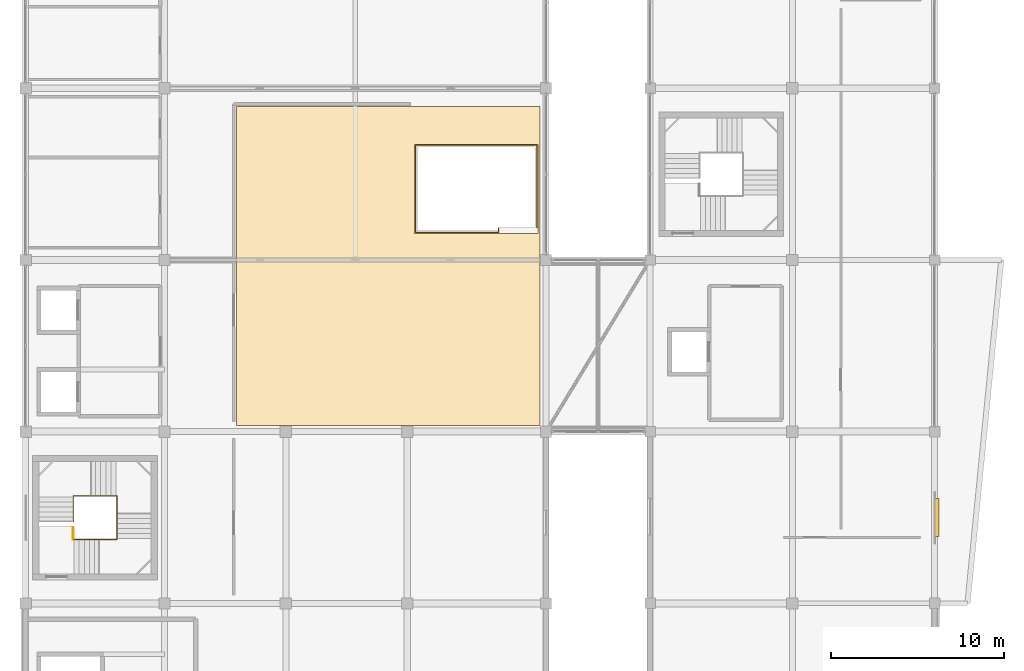
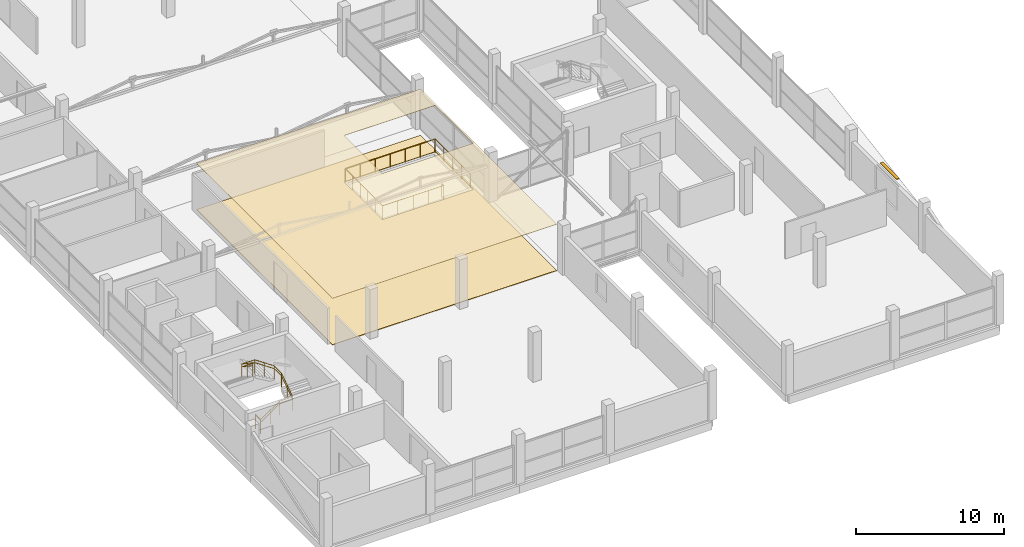
# One storey, part 65 of 66: 4 railings, 2 coverings, 1 shading device.
"""IFC4 building model written with IfcOpenShell, lengths in metres."""

from ifc_helpers import new_model, si_unit, direction, frame, origin, origin_2d, place, context, subcontext, project, spatial, polyline, rectangle, circle, outline, extrude, material, layer, layer_set, type_object, element, save


model = new_model("IFC4")

# Units and contexts
model_context = context("Model", 3, precision=1e-05, world=origin(), true_north=direction((0.0, 1.0)))
body_context = subcontext(model_context, "Body", "Model", "MODEL_VIEW")
ifc_project = project(units=[si_unit("LENGTHUNIT", "METRE"), si_unit("AREAUNIT", "SQUARE_METRE"), si_unit("VOLUMEUNIT", "CUBIC_METRE"), si_unit("PLANEANGLEUNIT", "RADIAN"), si_unit("MASSUNIT", "GRAM", prefix="KILO")], contexts=[model_context])

# Site, building, storey
site_placement = place(None, origin())
site = spatial("IfcSite", under=ifc_project, at=site_placement, CompositionType="ELEMENT")
building_placement = place(site_placement, origin())
building = spatial("IfcBuilding", under=site, at=building_placement, Name="Sillaruma Civic Art Gallery", CompositionType="ELEMENT")
storey_placement = place(building_placement, frame((0.0, 0.0, 62.219970703125)))
storey = spatial("IfcBuildingStorey", under=building, at=storey_placement, Name="L12", CompositionType="ELEMENT", Elevation=62.219970703125)

# Coverings
ifc_material_1 = material(Name="Gypsum Acoustic Board", Category="gypsum")
ifc_layer_1 = layer(ifc_material_1, 0.030029296875, Name="Gypsum Acoustic Board")
ifc_layer_set_1 = layer_set([ifc_layer_1], Name="Gypsum Acoustic Board")
covering_type_1 = type_object("IfcCoveringType", Name="COV-CLG-30", PredefinedType="CEILING", material=ifc_layer_set_1)
covering_1_placement = place(storey_placement, frame((0.0, 0.0, 3.820068359375)))
element("IfcCovering", 1, at=covering_1_placement, inside=storey, type_object=covering_type_1, Name="Acoustic Gallery Ceiling (L12-GAL12A)", PredefinedType="CEILING", context=body_context, shape_type="SweptSolid", body=[
    extrude(outline(polyline([(74.159912109375, 58.340087890625), (91.639892578125, 58.340087890625), (91.639892578125, 39.9599609375), (74.159912109375, 39.9599609375), (74.159912109375, 58.340087890625)]), holes=[polyline([(91.511962890625, 51.030029296875), (91.513916015625, 51.030517578125), (91.515869140625, 51.031005859375), (91.517578125, 51.031494140625), (91.519287109375, 51.032470703125), (91.52099609375, 51.033447265625), (91.522705078125, 51.034423828125), (91.524169921875, 51.035888671875), (91.525390625, 51.037353515625), (91.526611328125, 51.038818359375), (91.527587890625, 51.04052734375), (91.528564453125, 51.042236328125), (91.529052734375, 51.044189453125), (91.529541015625, 51.046142578125), (91.52978515625, 51.048095703125), (91.530029296875, 51.050048828125), (91.530029296875, 56.14990234375), (91.52978515625, 56.152099609375), (91.529541015625, 56.15380859375), (91.529052734375, 56.15576171875), (91.528564453125, 56.15771484375), (91.527587890625, 56.159423828125), (91.526611328125, 56.1611328125), (91.525390625, 56.16259765625), (91.524169921875, 56.1640625), (91.522705078125, 56.16552734375), (91.52099609375, 56.16650390625), (91.519287109375, 56.16748046875), (91.517578125, 56.16845703125), (91.515869140625, 56.169189453125), (91.513916015625, 56.169677734375), (91.511962890625, 56.169921875), (91.510009765625, 56.169921875), (84.449951171875, 56.169921875), (84.447998046875, 56.169921875), (84.446044921875, 56.169677734375), (84.444091796875, 56.169189453125), (84.4423828125, 56.16845703125), (84.440673828125, 56.16748046875), (84.43896484375, 56.16650390625), (84.437255859375, 56.16552734375), (84.435791015625, 56.1640625), (84.4345703125, 56.16259765625), (84.433349609375, 56.1611328125), (84.432373046875, 56.159423828125), (84.431396484375, 56.15771484375), (84.430908203125, 56.15576171875), (84.430419921875, 56.15380859375), (84.43017578125, 56.152099609375), (84.429931640625, 56.14990234375), (84.429931640625, 51.050048828125), (84.43017578125, 51.048095703125), (84.430419921875, 51.046142578125), (84.430908203125, 51.044189453125), (84.431396484375, 51.042236328125), (84.432373046875, 51.04052734375), (84.433349609375, 51.038818359375), (84.4345703125, 51.037353515625), (84.435791015625, 51.035888671875), (84.437255859375, 51.034423828125), (84.43896484375, 51.033447265625), (84.440673828125, 51.032470703125), (84.4423828125, 51.031494140625), (84.444091796875, 51.031005859375), (84.446044921875, 51.030517578125), (84.447998046875, 51.030029296875), (84.449951171875, 51.030029296875), (91.510009765625, 51.030029296875), (91.511962890625, 51.030029296875)])]), origin(), (0.0, 0.0, 1.0), 0.030029296875),
])
ifc_material_2 = material(Name="Basalt Paver Stone", Category="masonry")
ifc_layer_2 = layer(ifc_material_2, 0.034912109375, Name="Basalt Paver Stone")
ifc_layer_set_2 = layer_set([ifc_layer_2], Name="Basalt Paver Stone")
covering_type_2 = type_object("IfcCoveringType", Name="COV-FLR-35", PredefinedType="FLOORING", material=ifc_layer_set_2)
covering_2_placement = place(storey_placement, origin())
element("IfcCovering", 2, at=covering_2_placement, inside=storey, type_object=covering_type_2, Name="Gallery Stone Terrazzo Flooring (L12-GAL12A)", PredefinedType="FLOORING", context=body_context, shape_type="SweptSolid", body=[
    extrude(outline(polyline([(74.159912109375, 58.340087890625), (91.639892578125, 58.340087890625), (91.639892578125, 39.9599609375), (74.159912109375, 39.9599609375), (74.159912109375, 58.340087890625)]), holes=[polyline([(91.511962890625, 51.030029296875), (91.513916015625, 51.030517578125), (91.515869140625, 51.031005859375), (91.517578125, 51.031494140625), (91.519287109375, 51.032470703125), (91.52099609375, 51.033447265625), (91.522705078125, 51.034423828125), (91.524169921875, 51.035888671875), (91.525390625, 51.037353515625), (91.526611328125, 51.038818359375), (91.527587890625, 51.04052734375), (91.528564453125, 51.042236328125), (91.529052734375, 51.044189453125), (91.529541015625, 51.046142578125), (91.52978515625, 51.048095703125), (91.530029296875, 51.050048828125), (91.530029296875, 56.14990234375), (91.52978515625, 56.152099609375), (91.529541015625, 56.15380859375), (91.529052734375, 56.15576171875), (91.528564453125, 56.15771484375), (91.527587890625, 56.159423828125), (91.526611328125, 56.1611328125), (91.525390625, 56.16259765625), (91.524169921875, 56.1640625), (91.522705078125, 56.16552734375), (91.52099609375, 56.16650390625), (91.519287109375, 56.16748046875), (91.517578125, 56.16845703125), (91.515869140625, 56.169189453125), (91.513916015625, 56.169677734375), (91.511962890625, 56.169921875), (91.510009765625, 56.169921875), (84.449951171875, 56.169921875), (84.447998046875, 56.169921875), (84.446044921875, 56.169677734375), (84.444091796875, 56.169189453125), (84.4423828125, 56.16845703125), (84.440673828125, 56.16748046875), (84.43896484375, 56.16650390625), (84.437255859375, 56.16552734375), (84.435791015625, 56.1640625), (84.4345703125, 56.16259765625), (84.433349609375, 56.1611328125), (84.432373046875, 56.159423828125), (84.431396484375, 56.15771484375), (84.430908203125, 56.15576171875), (84.430419921875, 56.15380859375), (84.43017578125, 56.152099609375), (84.429931640625, 56.14990234375), (84.429931640625, 51.050048828125), (84.43017578125, 51.048095703125), (84.430419921875, 51.046142578125), (84.430908203125, 51.044189453125), (84.431396484375, 51.042236328125), (84.432373046875, 51.04052734375), (84.433349609375, 51.038818359375), (84.4345703125, 51.037353515625), (84.435791015625, 51.035888671875), (84.437255859375, 51.034423828125), (84.43896484375, 51.033447265625), (84.440673828125, 51.032470703125), (84.4423828125, 51.031494140625), (84.444091796875, 51.031005859375), (84.446044921875, 51.030517578125), (84.447998046875, 51.030029296875), (84.449951171875, 51.030029296875), (91.510009765625, 51.030029296875), (91.511962890625, 51.030029296875)])]), origin(), (0.0, 0.0, 1.0), 0.034912109375),
])

# Railings
ifc_material_3 = material(Name="Stainless Steel AISI 316", Category="steel")
railing_type_1 = type_object("IfcRailingType", Name="RAL-BAL-1150", PredefinedType="BALUSTRADE", material=ifc_material_3)
railing_1_placement = place(storey_placement, frame((64.739990234375, 33.389892578125, 0.0)))
element("IfcRailing", 3, at=railing_1_placement, inside=storey, type_object=railing_type_1, Name="Stair Floor Edge Guard (ST-03:L12)", PredefinedType="BALUSTRADE", context=body_context, shape_type="SweptSolid", body=[
    extrude(circle(Radius=0.02392578125, at=origin_2d()), frame((0.0, 0.0, 1.1259765625), z_axis=(0.0, 1.0, 0.0), x_axis=(-1.0, 0.0, 0.0)), (0.0, 0.0, 1.0), 0.68017578125),
    extrude(circle(Radius=0.02099609375, at=origin_2d()), origin(), (0.0, 0.0, 1.0), 1.101806640625),
    extrude(circle(Radius=0.02099609375, at=origin_2d()), frame((0.0, 0.68017578125, 0.0)), (0.0, 0.0, 1.0), 1.101806640625),
])
railing_2_placement = place(storey_placement, frame((64.739990234375, 33.389892578125, 0.0)))
element("IfcRailing", 4, at=railing_2_placement, inside=storey, type_object=railing_type_1, Name="Stair Well Balustrade (ST-03-L12)", PredefinedType="BALUSTRADE", context=body_context, shape_type="SweptSolid", body=[
    extrude(circle(Radius=0.02392578125, at=origin_2d()), frame((0.0, 0.0, 1.1259765625), z_axis=(0.828654473869, 0.0, 0.559760451387), x_axis=(0.0, 1.0, 0.0)), (0.0, 0.0, 1.0), 1.822265625),
    extrude(circle(Radius=0.02392578125, at=origin_2d()), frame((1.510009765625, 0.0, 2.14599609375), z_axis=(1.0, 0.0, 0.0), x_axis=(0.0, 1.0, 0.0)), (0.0, 0.0, 1.0), 1.010009765625),
    extrude(circle(Radius=0.02392578125, at=origin_2d()), frame((2.52001953125, 0.0, 2.14599609375), z_axis=(0.0, 0.828654473869, 0.559760451387), x_axis=(-1.0, 0.0, 0.0)), (0.0, 0.0, 1.0), 1.822265625),
    extrude(circle(Radius=0.02392578125, at=origin_2d()), frame((2.52001953125, 1.510009765625, 3.166015625), z_axis=(0.0, 1.0, 0.0), x_axis=(-1.0, 0.0, 0.0)), (0.0, 0.0, 1.0), 1.010009765625),
    extrude(circle(Radius=0.02392578125, at=origin_2d()), frame((2.52001953125, 2.52001953125, 3.166015625), z_axis=(-0.828654473869, 0.0, 0.559760451387), x_axis=(0.0, -1.0, 0.0)), (0.0, 0.0, 1.0), 1.822265625),
    extrude(circle(Radius=0.02392578125, at=origin_2d()), frame((1.010009765625, 2.52001953125, 4.18603515625), z_axis=(-1.0, 0.0, 0.0), x_axis=(0.0, -1.0, 0.0)), (0.0, 0.0, 1.0), 1.010009765625),
    extrude(circle(Radius=0.02392578125, at=origin_2d()), frame((0.0, 2.52001953125, 4.18603515625), z_axis=(0.0, -0.828654473869, 0.559760451387), x_axis=(1.0, 0.0, 0.0)), (0.0, 0.0, 1.0), 1.822265625),
    extrude(circle(Radius=0.02099609375, at=origin_2d()), origin(), (0.0, 0.0, 1.0), 1.101806640625),
    extrude(circle(Radius=0.02099609375, at=origin_2d()), frame((0.7548828125, 0.0, 0.510009765625)), (0.0, 0.0, 1.0), 1.101806640625),
    extrude(circle(Radius=0.02099609375, at=origin_2d()), frame((1.510009765625, 0.0, 1.02001953125)), (0.0, 0.0, 1.0), 1.101806640625),
    extrude(circle(Radius=0.02099609375, at=origin_2d()), frame((2.52001953125, 0.0, 1.02001953125)), (0.0, 0.0, 1.0), 1.101806640625),
    extrude(circle(Radius=0.02099609375, at=origin_2d()), frame((2.52001953125, 0.7548828125, 1.530029296875)), (0.0, 0.0, 1.0), 1.101806640625),
    extrude(circle(Radius=0.02099609375, at=origin_2d()), frame((2.52001953125, 1.510009765625, 2.0400390625)), (0.0, 0.0, 1.0), 1.101806640625),
    extrude(circle(Radius=0.02099609375, at=origin_2d()), frame((2.52001953125, 2.52001953125, 2.0400390625)), (0.0, 0.0, 1.0), 1.101806640625),
    extrude(circle(Radius=0.02099609375, at=origin_2d()), frame((1.76513671875, 2.52001953125, 2.550048828125)), (0.0, 0.0, 1.0), 1.101806640625),
    extrude(circle(Radius=0.02099609375, at=origin_2d()), frame((1.010009765625, 2.52001953125, 3.06005859375)), (0.0, 0.0, 1.0), 1.101806640625),
    extrude(circle(Radius=0.02099609375, at=origin_2d()), frame((0.0, 2.52001953125, 3.06005859375)), (0.0, 0.0, 1.0), 1.101806640625),
    extrude(circle(Radius=0.02099609375, at=origin_2d()), frame((0.0, 1.76513671875, 3.570068359375)), (0.0, 0.0, 1.0), 1.101806640625),
    extrude(circle(Radius=0.02099609375, at=origin_2d()), frame((0.0, 1.010009765625, 4.080078125)), (0.0, 0.0, 1.0), 1.101806640625),
])
railing_3_placement = place(storey_placement, frame((89.260009765625, 51.35009765625, 0.0)))
element("IfcRailing", 5, at=railing_3_placement, inside=storey, type_object=railing_type_1, Name="Feature Stair Arrival Well Balustrade (ST-G07)", PredefinedType="BALUSTRADE", context=body_context, shape_type="SweptSolid", body=[
    extrude(circle(Radius=0.02392578125, at=origin_2d()), frame((0.0, 0.0, 1.1259765625), z_axis=(0.0, -1.0, 0.0), x_axis=(1.0, 0.0, 0.0)), (0.0, 0.0, 1.0), 0.27001953125),
    extrude(circle(Radius=0.02392578125, at=origin_2d()), frame((0.0, -0.27001953125, 1.1259765625), z_axis=(-1.0, 0.0, 0.0), x_axis=(0.0, -1.0, 0.0)), (0.0, 0.0, 1.0), 4.780029296875),
    extrude(circle(Radius=0.02392578125, at=origin_2d()), frame((-4.780029296875, -0.27001953125, 1.1259765625), z_axis=(0.0, 1.0, 0.0), x_axis=(-1.0, 0.0, 0.0)), (0.0, 0.0, 1.0), 5.0400390625),
    extrude(circle(Radius=0.02392578125, at=origin_2d()), frame((-4.780029296875, 4.77001953125, 1.1259765625), z_axis=(1.0, 0.0, 0.0), x_axis=(0.0, 1.0, 0.0)), (0.0, 0.0, 1.0), 7.0),
    extrude(circle(Radius=0.02392578125, at=origin_2d()), frame((2.219970703125, 4.77001953125, 1.1259765625), z_axis=(0.0, -1.0, 0.0), x_axis=(1.0, 0.0, 0.0)), (0.0, 0.0, 1.0), 4.77001953125),
    extrude(circle(Radius=0.02099609375, at=origin_2d()), origin(), (0.0, 0.0, 1.0), 1.101806640625),
    extrude(circle(Radius=0.02099609375, at=origin_2d()), frame((0.0, -0.27001953125, 0.0)), (0.0, 0.0, 1.0), 1.101806640625),
    extrude(circle(Radius=0.02099609375, at=origin_2d()), frame((-1.195068359375, -0.27001953125, 0.0)), (0.0, 0.0, 1.0), 1.101806640625),
    extrude(circle(Radius=0.02099609375, at=origin_2d()), frame((-2.39013671875, -0.27001953125, 0.0)), (0.0, 0.0, 1.0), 1.101806640625),
    extrude(circle(Radius=0.02099609375, at=origin_2d()), frame((-3.5849609375, -0.27001953125, 0.0)), (0.0, 0.0, 1.0), 1.101806640625),
    extrude(circle(Radius=0.02099609375, at=origin_2d()), frame((-4.780029296875, -0.27001953125, 0.0)), (0.0, 0.0, 1.0), 1.101806640625),
    extrude(circle(Radius=0.02099609375, at=origin_2d()), frame((-4.780029296875, 0.738037109375, 0.0)), (0.0, 0.0, 1.0), 1.101806640625),
    extrude(circle(Radius=0.02099609375, at=origin_2d()), frame((-4.780029296875, 1.74609375, 0.0)), (0.0, 0.0, 1.0), 1.101806640625),
    extrude(circle(Radius=0.02099609375, at=origin_2d()), frame((-4.780029296875, 2.75390625, 0.0)), (0.0, 0.0, 1.0), 1.101806640625),
    extrude(circle(Radius=0.02099609375, at=origin_2d()), frame((-4.780029296875, 3.761962890625, 0.0)), (0.0, 0.0, 1.0), 1.101806640625),
    extrude(circle(Radius=0.02099609375, at=origin_2d()), frame((-4.780029296875, 4.77001953125, 0.0)), (0.0, 0.0, 1.0), 1.101806640625),
    extrude(circle(Radius=0.02099609375, at=origin_2d()), frame((-3.61328125, 4.77001953125, 0.0)), (0.0, 0.0, 1.0), 1.101806640625),
    extrude(circle(Radius=0.02099609375, at=origin_2d()), frame((-2.44677734375, 4.77001953125, 0.0)), (0.0, 0.0, 1.0), 1.101806640625),
    extrude(circle(Radius=0.02099609375, at=origin_2d()), frame((-1.280029296875, 4.77001953125, 0.0)), (0.0, 0.0, 1.0), 1.101806640625),
    extrude(circle(Radius=0.02099609375, at=origin_2d()), frame((-0.11328125, 4.77001953125, 0.0)), (0.0, 0.0, 1.0), 1.101806640625),
    extrude(circle(Radius=0.02099609375, at=origin_2d()), frame((1.05322265625, 4.77001953125, 0.0)), (0.0, 0.0, 1.0), 1.101806640625),
    extrude(circle(Radius=0.02099609375, at=origin_2d()), frame((2.219970703125, 4.77001953125, 0.0)), (0.0, 0.0, 1.0), 1.101806640625),
    extrude(circle(Radius=0.02099609375, at=origin_2d()), frame((2.219970703125, 3.57763671875, 0.0)), (0.0, 0.0, 1.0), 1.101806640625),
    extrude(circle(Radius=0.02099609375, at=origin_2d()), frame((2.219970703125, 2.385009765625, 0.0)), (0.0, 0.0, 1.0), 1.101806640625),
    extrude(circle(Radius=0.02099609375, at=origin_2d()), frame((2.219970703125, 1.1923828125, 0.0)), (0.0, 0.0, 1.0), 1.101806640625),
    extrude(circle(Radius=0.02099609375, at=origin_2d()), frame((2.219970703125, 0.0, 0.0)), (0.0, 0.0, 1.0), 1.101806640625),
])
railing_type_2 = type_object("IfcRailingType", Name="RAL-HND-920", PredefinedType="HANDRAIL", material=ifc_material_3)
railing_4_placement = place(storey_placement, frame((64.739990234375, 33.389892578125, 0.0)))
element("IfcRailing", 6, at=railing_4_placement, inside=storey, type_object=railing_type_2, Name="Stair Continuous Handrail (ST-03-L12)", PredefinedType="HANDRAIL", context=body_context, shape_type="SweptSolid", body=[
    extrude(circle(Radius=0.02392578125, at=origin_2d()), frame((0.0, 0.0, 0.89599609375), z_axis=(0.828654473869, 0.0, 0.559760451387), x_axis=(0.0, 1.0, 0.0)), (0.0, 0.0, 1.0), 1.822265625),
    extrude(circle(Radius=0.02392578125, at=origin_2d()), frame((1.510009765625, 0.0, 1.916015625), z_axis=(1.0, 0.0, 0.0), x_axis=(0.0, 1.0, 0.0)), (0.0, 0.0, 1.0), 1.010009765625),
    extrude(circle(Radius=0.02392578125, at=origin_2d()), frame((2.52001953125, 0.0, 1.916015625), z_axis=(0.0, 0.828654473869, 0.559760451387), x_axis=(-1.0, 0.0, 0.0)), (0.0, 0.0, 1.0), 1.822265625),
    extrude(circle(Radius=0.02392578125, at=origin_2d()), frame((2.52001953125, 1.510009765625, 2.93603515625), z_axis=(0.0, 1.0, 0.0), x_axis=(-1.0, 0.0, 0.0)), (0.0, 0.0, 1.0), 1.010009765625),
    extrude(circle(Radius=0.02392578125, at=origin_2d()), frame((2.52001953125, 2.52001953125, 2.93603515625), z_axis=(-0.828654473869, 0.0, 0.559760451387), x_axis=(0.0, -1.0, 0.0)), (0.0, 0.0, 1.0), 1.822265625),
    extrude(circle(Radius=0.02392578125, at=origin_2d()), frame((1.010009765625, 2.52001953125, 3.9560546875), z_axis=(-1.0, 0.0, 0.0), x_axis=(0.0, -1.0, 0.0)), (0.0, 0.0, 1.0), 1.010009765625),
    extrude(circle(Radius=0.02392578125, at=origin_2d()), frame((0.0, 2.52001953125, 3.9560546875), z_axis=(0.0, -0.828654473869, 0.559760451387), x_axis=(1.0, 0.0, 0.0)), (0.0, 0.0, 1.0), 1.822265625),
    extrude(circle(Radius=0.02099609375, at=origin_2d()), origin(), (0.0, 0.0, 1.0), 0.871826171875),
    extrude(circle(Radius=0.02099609375, at=origin_2d()), frame((0.7548828125, 0.0, 0.510009765625)), (0.0, 0.0, 1.0), 0.871826171875),
    extrude(circle(Radius=0.02099609375, at=origin_2d()), frame((1.510009765625, 0.0, 1.02001953125)), (0.0, 0.0, 1.0), 0.871826171875),
    extrude(circle(Radius=0.02099609375, at=origin_2d()), frame((2.52001953125, 0.0, 1.02001953125)), (0.0, 0.0, 1.0), 0.871826171875),
    extrude(circle(Radius=0.02099609375, at=origin_2d()), frame((2.52001953125, 0.7548828125, 1.530029296875)), (0.0, 0.0, 1.0), 0.871826171875),
    extrude(circle(Radius=0.02099609375, at=origin_2d()), frame((2.52001953125, 1.510009765625, 2.0400390625)), (0.0, 0.0, 1.0), 0.871826171875),
    extrude(circle(Radius=0.02099609375, at=origin_2d()), frame((2.52001953125, 2.52001953125, 2.0400390625)), (0.0, 0.0, 1.0), 0.871826171875),
    extrude(circle(Radius=0.02099609375, at=origin_2d()), frame((1.76513671875, 2.52001953125, 2.550048828125)), (0.0, 0.0, 1.0), 0.871826171875),
    extrude(circle(Radius=0.02099609375, at=origin_2d()), frame((1.010009765625, 2.52001953125, 3.06005859375)), (0.0, 0.0, 1.0), 0.871826171875),
    extrude(circle(Radius=0.02099609375, at=origin_2d()), frame((0.0, 2.52001953125, 3.06005859375)), (0.0, 0.0, 1.0), 0.871826171875),
    extrude(circle(Radius=0.02099609375, at=origin_2d()), frame((0.0, 1.76513671875, 3.570068359375)), (0.0, 0.0, 1.0), 0.871826171875),
    extrude(circle(Radius=0.02099609375, at=origin_2d()), frame((0.0, 1.010009765625, 4.080078125)), (0.0, 0.0, 1.0), 0.871826171875),
])

# Shading device
ifc_material_4 = material(Name="Anodised Extruded Aluminium 6063-T6", Category="aluminium")
shading_device_type = type_object("IfcShadingDeviceType", Name="SHD-LOU-03", PredefinedType="USERDEFINED", material=ifc_material_4)
shading_device_placement = place(storey_placement, frame((114.5400390625, 34.64990234375, 3.4248046875), z_axis=(0.0, 0.0, 1.0), x_axis=(0.0, 1.0, 0.0)))
element("IfcShadingDevice", 7, at=shading_device_placement, inside=storey, type_object=shading_device_type, Name="Studio Solar Louvre Baffle (L12-2)", ObjectType="LOUVRE", PredefinedType="USERDEFINED", context=body_context, shape_type="SweptSolid", body=[
    extrude(rectangle(XDim=2.199951171875, YDim=0.219970703125, at=origin_2d()), origin(), (0.0, 0.0, 1.0), 0.050048828125),
])

save(model, "model.ifc")
